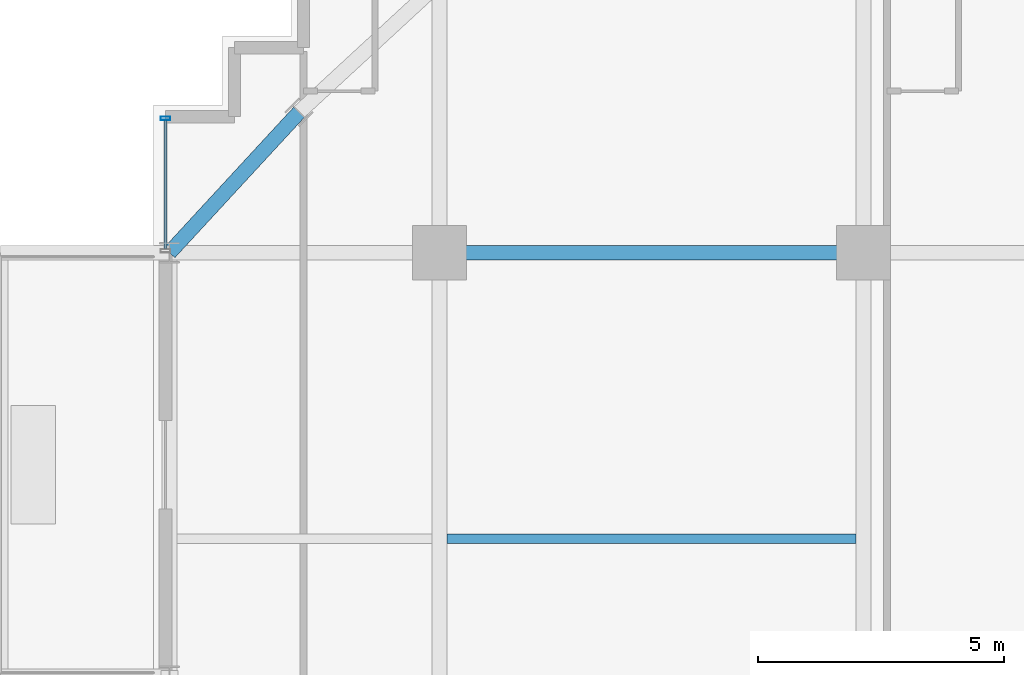
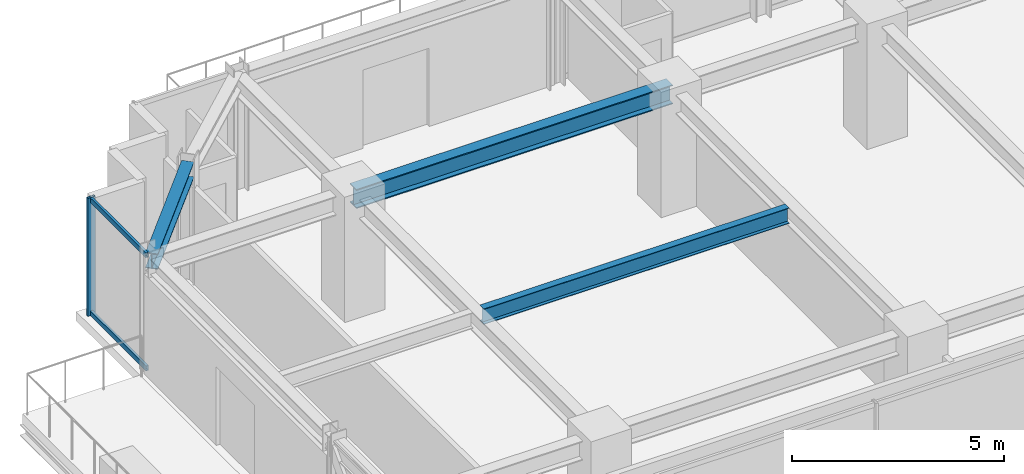
# One storey, part 22 of 37: 3 beams, 3 members, 1 element without a shape of its own.
"""IFC4 building model written with IfcOpenShell, lengths in metres."""

from ifc_helpers import new_model, si_unit, direction, frame, origin, origin_2d, place, context, subcontext, project, spatial, hollow_rectangle, i_section, extrude, source, transform, mapped, material, material_profile, profile_set, type_object, element, aggregate, save


model = new_model("IFC4")

# Units and contexts
model_context = context("Model", 3, precision=1e-05, world=origin(), true_north=direction((0.0, 1.0)))
body_context = subcontext(model_context, "Body", "Model", "MODEL_VIEW")
ifc_project = project(units=[si_unit("LENGTHUNIT", "METRE"), si_unit("AREAUNIT", "SQUARE_METRE"), si_unit("VOLUMEUNIT", "CUBIC_METRE"), si_unit("PLANEANGLEUNIT", "RADIAN"), si_unit("MASSUNIT", "GRAM", prefix="KILO")], contexts=[model_context])

# Site, building, storey
site_placement = place(None, origin())
site = spatial("IfcSite", under=ifc_project, at=site_placement, CompositionType="ELEMENT")
building_placement = place(site_placement, origin())
building = spatial("IfcBuilding", under=site, at=building_placement, Name="Nahalor Promenade Grand Hotel", CompositionType="ELEMENT")
storey_placement = place(building_placement, frame((0.0, 0.0, 167.25)))
storey = spatial("IfcBuildingStorey", under=building, at=storey_placement, Name="L42", CompositionType="ELEMENT", Elevation=167.25)

# Beams
ifc_material_1 = material(Name="Steel S355JR", Category="steel")
ifc_material_profile_1 = material_profile(ifc_material_1, i_section(OverallWidth=0.3, OverallDepth=0.55, WebThickness=0.015, FlangeThickness=0.029, at=origin_2d()), Name="HEB 550")
ifc_profile_set_1 = profile_set([ifc_material_profile_1], Name="Steel S355JR")
beam_type_1 = type_object("IfcBeamType", Name="Beam-Girder-HEB550", PredefinedType="BEAM", material=ifc_profile_set_1)
shared_shape_1 = source(origin(), body_context, "Body", "SweptSolid", [
    extrude(i_section(OverallWidth=0.3, OverallDepth=0.55, WebThickness=0.015, FlangeThickness=0.029, at=origin_2d()), origin(), (0.0, 0.0, 1.0), 8.60009765625),
])
beam_1_placement = place(storey_placement, frame((-17.0, 17.0, 3.114990234375), z_axis=(1.0, 0.0, 0.0), x_axis=(0.0, 1.0, 0.0)))
element("IfcBeam", 1, at=beam_1_placement, inside=storey, type_object=beam_type_1, Name="BM-L42-GX-3-1", PredefinedType="BEAM", context=body_context, shape_type="MappedRepresentation", body=[
    mapped(shared_shape_1, transform((0.0, 0.0, 0.0), scale=1.0)),
])
ifc_material_profile_2 = material_profile(ifc_material_1, i_section(OverallWidth=0.19, OverallDepth=0.45, WebThickness=0.0094, FlangeThickness=0.0146, at=origin_2d()), Name="IPE 450")
ifc_profile_set_2 = profile_set([ifc_material_profile_2], Name="Steel S355JR")
beam_type_2 = type_object("IfcBeamType", Name="Beam-Joist-IPE450", PredefinedType="JOIST", material=ifc_profile_set_2)
shared_shape_2 = source(origin(), body_context, "Body", "SweptSolid", [
    extrude(i_section(OverallWidth=0.19, OverallDepth=0.45, WebThickness=0.0094, FlangeThickness=0.0146, at=origin_2d()), origin(), (0.0, 0.0, 1.0), 8.300048828125),
])
beam_2_placement = place(storey_placement, frame((-16.85009765625, 11.199951171875, 3.1650390625), z_axis=(1.0, 0.0, 0.0), x_axis=(0.0, 1.0, 0.0)))
element("IfcBeam", 2, at=beam_2_placement, inside=storey, type_object=beam_type_2, Name="BM-L42-JSW-1-1", PredefinedType="JOIST", context=body_context, shape_type="MappedRepresentation", body=[
    mapped(shared_shape_2, transform((0.0, 0.0, 0.0), scale=1.0)),
])
ifc_material_profile_3 = material_profile(ifc_material_1, i_section(OverallWidth=0.3, OverallDepth=0.45, WebThickness=0.014, FlangeThickness=0.026, at=origin_2d()), Name="HEB 450")
ifc_profile_set_3 = profile_set([ifc_material_profile_3], Name="Steel S355JR")
beam_type_3 = type_object("IfcBeamType", Name="Beam-Spandrel-HEB450", PredefinedType="SPANDREL", material=ifc_profile_set_3)
shared_shape_3 = source(origin(), body_context, "Body", "SweptSolid", [
    extrude(i_section(OverallWidth=0.3, OverallDepth=0.45, WebThickness=0.014, FlangeThickness=0.026, at=origin_2d()), origin(), (0.0, 0.0, 1.0), 3.878173828125),
])
beam_3_placement = place(storey_placement, frame((-19.85009765625, 19.85009765625, 3.1650390625), z_axis=(-0.678144125843, -0.73492893846, 0.0), x_axis=(0.73492893846, -0.678144125843, 0.0)))
element("IfcBeam", 3, at=beam_3_placement, inside=storey, type_object=beam_type_3, Name="BM-L42-SPC-NW-2", PredefinedType="SPANDREL", context=body_context, shape_type="MappedRepresentation", body=[
    mapped(shared_shape_3, transform((0.0, 0.0, 0.0), scale=1.0)),
])

# Curtain wall, members
ifc_material_2 = material(Name="Anodised Bronze Aluminium EN AW-6063 T6", Category="aluminium")
curtain_wall_type = type_object("IfcCurtainWallType", Name="CW3 Elliptical-Void Collar Unitised Curtain Wall", PredefinedType="USERDEFINED", material=ifc_material_2)
curtain_wall_placement = place(storey_placement, origin())
curtain_wall = element("IfcCurtainWall", 4, at=curtain_wall_placement, inside=storey, type_object=curtain_wall_type, Name="L42 Curtain Wall CW-L42-W-4", ObjectType="UNITISED_CURTAIN_WALL", PredefinedType="USERDEFINED")
ifc_material_profile_4 = material_profile(ifc_material_2, hollow_rectangle(XDim=0.07, YDim=0.14, WallThickness=0.004, at=origin_2d()), Name="CWT 70x140x4")
ifc_profile_set_4 = profile_set([ifc_material_profile_4], Name="Anodised Bronze Aluminium EN AW-6063 T6")
member_type_1 = type_object("IfcMemberType", Name="CWT3 Void Collar Transom 70x140", PredefinedType="USERDEFINED", material=ifc_profile_set_4)
shared_shape_4 = source(origin(), body_context, "Body", "SweptSolid", [
    extrude(hollow_rectangle(XDim=0.07, YDim=0.14, WallThickness=0.004, at=origin_2d()), origin(), (0.0, 0.0, 1.0), 2.619873046875),
])
member_1_placement = place(storey_placement, frame((-22.56005859375, 17.070068359375, 0.070068359375), z_axis=(0.0, 1.0, 0.0), x_axis=(-1.0, 0.0, 0.0)))
member_1 = element("IfcMember", 5, at=member_1_placement, type_object=member_type_1, Name="CW-L42-W-4 Transom 0-0", ObjectType="TRANSOM", PredefinedType="USERDEFINED", context=body_context, shape_type="MappedRepresentation", body=[
    mapped(shared_shape_4, transform((0.0, 0.0, 0.0), scale=1.0)),
])
member_2_placement = place(storey_placement, frame((-22.56005859375, 17.070068359375, 3.320068359375), z_axis=(0.0, 1.0, 0.0), x_axis=(-1.0, 0.0, 0.0)))
member_2 = element("IfcMember", 6, at=member_2_placement, type_object=member_type_1, Name="CW-L42-W-4 Transom 0-1", ObjectType="TRANSOM", PredefinedType="USERDEFINED", context=body_context, shape_type="MappedRepresentation", body=[
    mapped(shared_shape_4, transform((0.0, 0.0, 0.0), scale=1.0)),
])
ifc_material_profile_5 = material_profile(ifc_material_2, hollow_rectangle(XDim=0.07, YDim=0.2, WallThickness=0.005, at=origin_2d()), Name="CWM 70x200x5")
ifc_profile_set_5 = profile_set([ifc_material_profile_5], Name="Anodised Bronze Aluminium EN AW-6063 T6")
member_type_2 = type_object("IfcMemberType", Name="CWM3 Void Collar Mullion 70x200", PredefinedType="MULLION", material=ifc_profile_set_5)
shared_shape_5 = source(origin(), body_context, "Body", "SweptSolid", [
    extrude(hollow_rectangle(XDim=0.07, YDim=0.2, WallThickness=0.005, at=origin_2d()), origin(), (0.0, 0.0, 1.0), 3.389892578125),
])
member_3_placement = place(storey_placement, frame((-22.56005859375, 19.72509765625, 0.0), z_axis=(0.0, 0.0, 1.0), x_axis=(0.0, 1.0, 0.0)))
member_3 = element("IfcMember", 7, at=member_3_placement, type_object=member_type_2, Name="CW-L42-W-4 Mullion 1", PredefinedType="MULLION", context=body_context, shape_type="MappedRepresentation", body=[
    mapped(shared_shape_5, transform((0.0, 0.0, 0.0), scale=1.0)),
])
aggregate(curtain_wall, [member_3, member_1, member_2])

save(model, "model.ifc")
